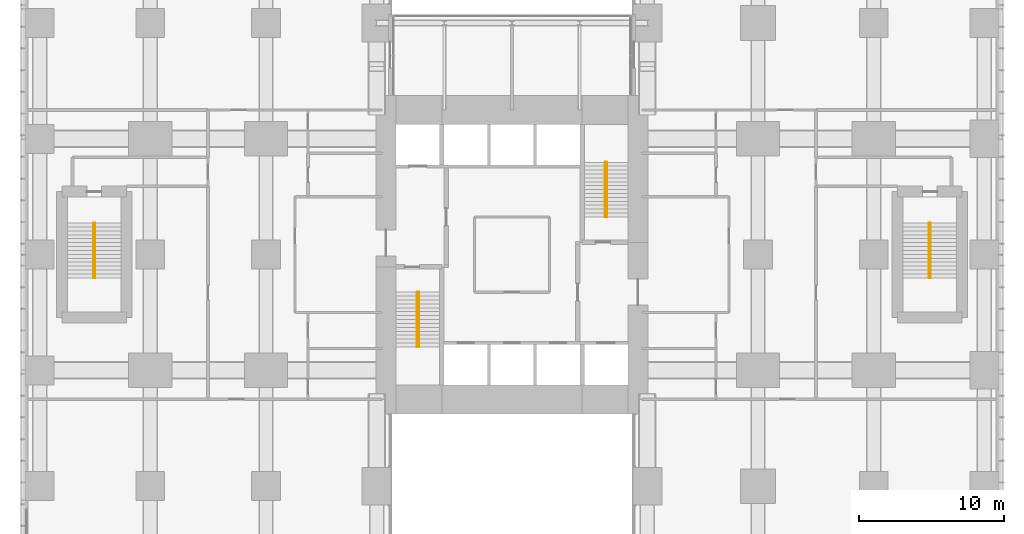
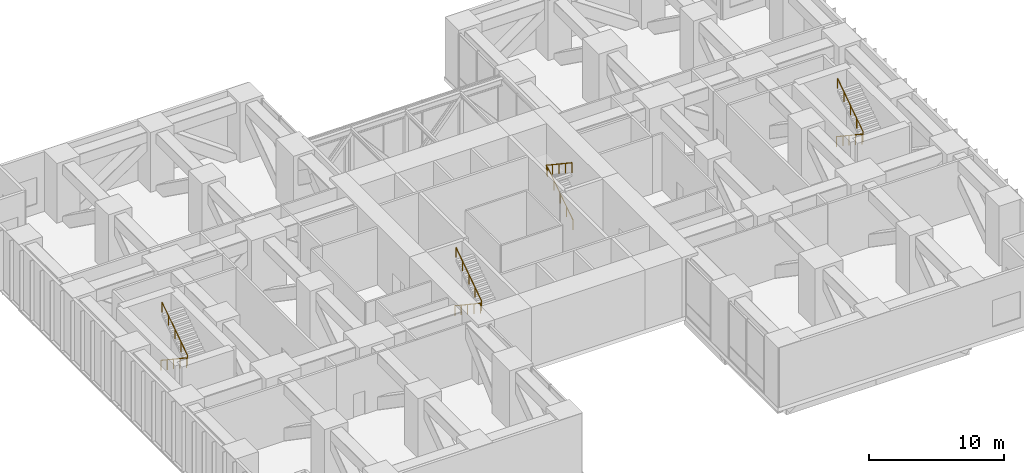
# One storey, part 17 of 17: 8 railings.
"""IFC4 building model written with IfcOpenShell, lengths in metres."""

from ifc_helpers import new_model, si_unit, direction, frame, origin, origin_2d, place, context, subcontext, project, spatial, circle, extrude, material, type_object, element, save


model = new_model("IFC4")

# Units and contexts
model_context = context("Model", 3, precision=1e-05, world=origin(), true_north=direction((0.0, 1.0)))
body_context = subcontext(model_context, "Body", "Model", "MODEL_VIEW")
ifc_project = project(units=[si_unit("LENGTHUNIT", "METRE"), si_unit("AREAUNIT", "SQUARE_METRE"), si_unit("VOLUMEUNIT", "CUBIC_METRE"), si_unit("PLANEANGLEUNIT", "RADIAN"), si_unit("MASSUNIT", "GRAM", prefix="KILO")], contexts=[model_context])

# Site, building, storey
site_placement = place(None, origin())
site = spatial("IfcSite", under=ifc_project, at=site_placement, CompositionType="ELEMENT")
building_placement = place(site_placement, origin())
building = spatial("IfcBuilding", under=site, at=building_placement, Name="Cleftline Residences", CompositionType="ELEMENT")
storey_placement = place(building_placement, frame((0.0, 0.0, 90.800048828125)))
storey = spatial("IfcBuildingStorey", under=building, at=storey_placement, Name="L23", CompositionType="ELEMENT", Elevation=90.800048828125)

# Railings
ifc_material = material(Name="Stainless steel", Category="steel")
railing_type = type_object("IfcRailingType", Name="HANDRAIL 900", PredefinedType="HANDRAIL", material=ifc_material)
railing_1_placement = place(storey_placement, frame((26.449951171875, 21.39990234375, 0.179931640625)))
element("IfcRailing", 1, at=railing_1_placement, inside=storey, type_object=railing_type, Name="Stair handrail", PredefinedType="HANDRAIL", context=body_context, shape_type="SweptSolid", body=[
    extrude(circle(Radius=0.02392578125, at=origin_2d()), frame((0.0, 0.0, 0.8759765625), z_axis=(0.0, -0.832033757966, 0.554724999982), x_axis=(1.0, 0.0, 0.0)), (0.0, 0.0, 1.0), 4.542724609375),
    extrude(circle(Radius=0.02099609375, at=origin_2d()), origin(), (0.0, 0.0, 1.0), 0.851806640625),
    extrude(circle(Radius=0.02099609375, at=origin_2d()), frame((0.0, -0.94482421875, 0.6298828125)), (0.0, 0.0, 1.0), 0.851806640625),
    extrude(circle(Radius=0.02099609375, at=origin_2d()), frame((0.0, -1.889892578125, 1.260009765625)), (0.0, 0.0, 1.0), 0.851806640625),
    extrude(circle(Radius=0.02099609375, at=origin_2d()), frame((0.0, -2.8349609375, 1.89013671875)), (0.0, 0.0, 1.0), 0.851806640625),
    extrude(circle(Radius=0.02099609375, at=origin_2d()), frame((0.0, -3.77978515625, 2.52001953125)), (0.0, 0.0, 1.0), 0.851806640625),
])
for number, where, name in (
    (2, (26.550048828125, 17.6201171875, 2.8798828125), "Stair handrail"),
    (3, (39.550048828125, 26.60009765625, 0.179931640625), "Stair handrail"),
):
    element("IfcRailing", number, at=place(storey_placement, frame(where)), inside=storey, type_object=railing_type, Name=name, PredefinedType="HANDRAIL", context=body_context, shape_type="SweptSolid", body=[
        extrude(circle(Radius=0.02392578125, at=origin_2d()), frame((0.0, 0.0, 0.8759765625), z_axis=(0.0, 0.832033757966, 0.554724999982), x_axis=(-1.0, 0.0, 0.0)), (0.0, 0.0, 1.0), 4.542724609375),
        extrude(circle(Radius=0.02099609375, at=origin_2d()), origin(), (0.0, 0.0, 1.0), 0.851806640625),
        extrude(circle(Radius=0.02099609375, at=origin_2d()), frame((0.0, 0.94482421875, 0.6298828125)), (0.0, 0.0, 1.0), 0.851806640625),
        extrude(circle(Radius=0.02099609375, at=origin_2d()), frame((0.0, 1.889892578125, 1.260009765625)), (0.0, 0.0, 1.0), 0.851806640625),
        extrude(circle(Radius=0.02099609375, at=origin_2d()), frame((0.0, 2.8349609375, 1.89013671875)), (0.0, 0.0, 1.0), 0.851806640625),
        extrude(circle(Radius=0.02099609375, at=origin_2d()), frame((0.0, 3.77978515625, 2.52001953125)), (0.0, 0.0, 1.0), 0.851806640625),
    ])
railing_2_placement = place(storey_placement, frame((39.449951171875, 30.3798828125, 2.8798828125)))
element("IfcRailing", 4, at=railing_2_placement, inside=storey, type_object=railing_type, Name="Stair handrail", PredefinedType="HANDRAIL", context=body_context, shape_type="SweptSolid", body=[
    extrude(circle(Radius=0.02392578125, at=origin_2d()), frame((0.0, 0.0, 0.8759765625), z_axis=(0.0, -0.832033757966, 0.554724999982), x_axis=(1.0, 0.0, 0.0)), (0.0, 0.0, 1.0), 4.542724609375),
    extrude(circle(Radius=0.02099609375, at=origin_2d()), origin(), (0.0, 0.0, 1.0), 0.851806640625),
    extrude(circle(Radius=0.02099609375, at=origin_2d()), frame((0.0, -0.94482421875, 0.6298828125)), (0.0, 0.0, 1.0), 0.851806640625),
    extrude(circle(Radius=0.02099609375, at=origin_2d()), frame((0.0, -1.889892578125, 1.260009765625)), (0.0, 0.0, 1.0), 0.851806640625),
    extrude(circle(Radius=0.02099609375, at=origin_2d()), frame((0.0, -2.8349609375, 1.89013671875)), (0.0, 0.0, 1.0), 0.851806640625),
    extrude(circle(Radius=0.02099609375, at=origin_2d()), frame((0.0, -3.77978515625, 2.52001953125)), (0.0, 0.0, 1.0), 0.851806640625),
])
railing_3_placement = place(storey_placement, frame((61.824951171875, 26.175048828125, 0.179931640625)))
element("IfcRailing", 5, at=railing_3_placement, inside=storey, type_object=railing_type, Name="Stair handrail", PredefinedType="HANDRAIL", context=body_context, shape_type="SweptSolid", body=[
    extrude(circle(Radius=0.02392578125, at=origin_2d()), frame((0.0, 0.0, 0.8759765625), z_axis=(0.0, -0.832050294338, 0.554700196225), x_axis=(1.0, 0.0, 0.0)), (0.0, 0.0, 1.0), 4.54296875),
    extrude(circle(Radius=0.02099609375, at=origin_2d()), origin(), (0.0, 0.0, 1.0), 0.851806640625),
    extrude(circle(Radius=0.02099609375, at=origin_2d()), frame((0.0, -0.945068359375, 0.6298828125)), (0.0, 0.0, 1.0), 0.851806640625),
    extrude(circle(Radius=0.02099609375, at=origin_2d()), frame((0.0, -1.89013671875, 1.260009765625)), (0.0, 0.0, 1.0), 0.851806640625),
    extrude(circle(Radius=0.02099609375, at=origin_2d()), frame((0.0, -2.8349609375, 1.89013671875)), (0.0, 0.0, 1.0), 0.851806640625),
    extrude(circle(Radius=0.02099609375, at=origin_2d()), frame((0.0, -3.780029296875, 2.52001953125)), (0.0, 0.0, 1.0), 0.851806640625),
])
railing_4_placement = place(storey_placement, frame((61.925048828125, 22.39501953125, 2.8798828125)))
element("IfcRailing", 6, at=railing_4_placement, inside=storey, type_object=railing_type, Name="Stair handrail", PredefinedType="HANDRAIL", context=body_context, shape_type="SweptSolid", body=[
    extrude(circle(Radius=0.02392578125, at=origin_2d()), frame((0.0, 0.0, 0.8759765625), z_axis=(0.0, 0.832050294338, 0.554700196225), x_axis=(-1.0, 0.0, 0.0)), (0.0, 0.0, 1.0), 4.54296875),
    extrude(circle(Radius=0.02099609375, at=origin_2d()), origin(), (0.0, 0.0, 1.0), 0.851806640625),
    extrude(circle(Radius=0.02099609375, at=origin_2d()), frame((0.0, 0.945068359375, 0.6298828125)), (0.0, 0.0, 1.0), 0.851806640625),
    extrude(circle(Radius=0.02099609375, at=origin_2d()), frame((0.0, 1.89013671875, 1.260009765625)), (0.0, 0.0, 1.0), 0.851806640625),
    extrude(circle(Radius=0.02099609375, at=origin_2d()), frame((0.0, 2.8349609375, 1.89013671875)), (0.0, 0.0, 1.0), 0.851806640625),
    extrude(circle(Radius=0.02099609375, at=origin_2d()), frame((0.0, 3.780029296875, 2.52001953125)), (0.0, 0.0, 1.0), 0.851806640625),
])
railing_5_placement = place(storey_placement, frame((4.074951171875, 26.175048828125, 0.179931640625)))
element("IfcRailing", 7, at=railing_5_placement, inside=storey, type_object=railing_type, Name="Stair handrail", PredefinedType="HANDRAIL", context=body_context, shape_type="SweptSolid", body=[
    extrude(circle(Radius=0.02392578125, at=origin_2d()), frame((0.0, 0.0, 0.8759765625), z_axis=(0.0, -0.832050294338, 0.554700196225), x_axis=(1.0, 0.0, 0.0)), (0.0, 0.0, 1.0), 4.54296875),
    extrude(circle(Radius=0.02099609375, at=origin_2d()), origin(), (0.0, 0.0, 1.0), 0.851806640625),
    extrude(circle(Radius=0.02099609375, at=origin_2d()), frame((0.0, -0.945068359375, 0.6298828125)), (0.0, 0.0, 1.0), 0.851806640625),
    extrude(circle(Radius=0.02099609375, at=origin_2d()), frame((0.0, -1.89013671875, 1.260009765625)), (0.0, 0.0, 1.0), 0.851806640625),
    extrude(circle(Radius=0.02099609375, at=origin_2d()), frame((0.0, -2.8349609375, 1.89013671875)), (0.0, 0.0, 1.0), 0.851806640625),
    extrude(circle(Radius=0.02099609375, at=origin_2d()), frame((0.0, -3.780029296875, 2.52001953125)), (0.0, 0.0, 1.0), 0.851806640625),
])
railing_6_placement = place(storey_placement, frame((4.175048828125, 22.39501953125, 2.8798828125)))
element("IfcRailing", 8, at=railing_6_placement, inside=storey, type_object=railing_type, Name="Stair handrail", PredefinedType="HANDRAIL", context=body_context, shape_type="SweptSolid", body=[
    extrude(circle(Radius=0.02392578125, at=origin_2d()), frame((0.0, 0.0, 0.8759765625), z_axis=(0.0, 0.832050294338, 0.554700196225), x_axis=(-1.0, 0.0, 0.0)), (0.0, 0.0, 1.0), 4.54296875),
    extrude(circle(Radius=0.02099609375, at=origin_2d()), origin(), (0.0, 0.0, 1.0), 0.851806640625),
    extrude(circle(Radius=0.02099609375, at=origin_2d()), frame((0.0, 0.945068359375, 0.6298828125)), (0.0, 0.0, 1.0), 0.851806640625),
    extrude(circle(Radius=0.02099609375, at=origin_2d()), frame((0.0, 1.89013671875, 1.260009765625)), (0.0, 0.0, 1.0), 0.851806640625),
    extrude(circle(Radius=0.02099609375, at=origin_2d()), frame((0.0, 2.8349609375, 1.89013671875)), (0.0, 0.0, 1.0), 0.851806640625),
    extrude(circle(Radius=0.02099609375, at=origin_2d()), frame((0.0, 3.780029296875, 2.52001953125)), (0.0, 0.0, 1.0), 0.851806640625),
])

save(model, "model.ifc")
